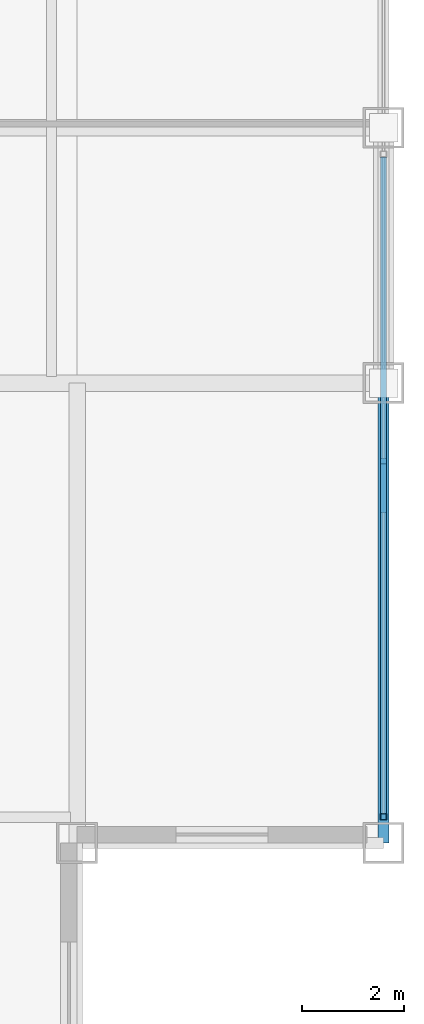
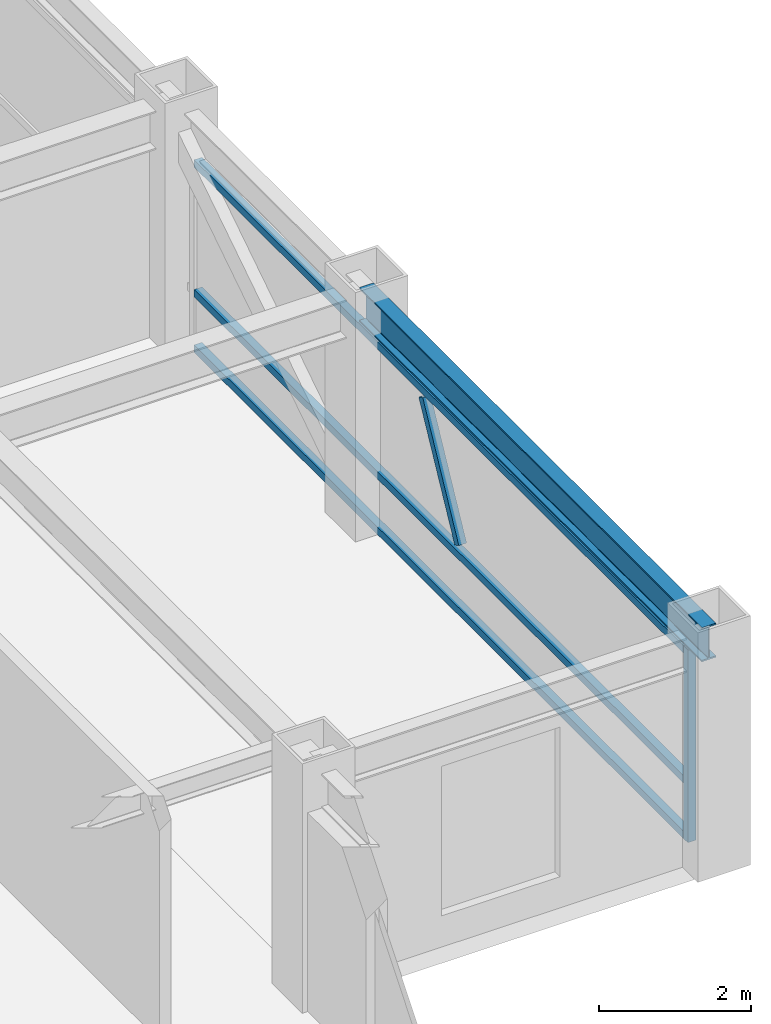
# One storey, part 12 of 29: 5 members, 1 beam, 1 element without a shape of its own.
"""IFC4 building model written with IfcOpenShell, lengths in metres."""

from ifc_helpers import new_model, si_unit, direction, frame, origin, origin_2d, place, context, subcontext, project, spatial, hollow_rectangle, i_section, extrude, source, transform, mapped, material, material_profile, profile_set, type_object, element, aggregate, save


model = new_model("IFC4")

# Units and contexts
model_context = context("Model", 3, precision=1e-05, world=origin(), true_north=direction((0.0, 1.0)))
body_context = subcontext(model_context, "Body", "Model", "MODEL_VIEW")
ifc_project = project(units=[si_unit("LENGTHUNIT", "METRE"), si_unit("AREAUNIT", "SQUARE_METRE"), si_unit("VOLUMEUNIT", "CUBIC_METRE"), si_unit("PLANEANGLEUNIT", "RADIAN"), si_unit("MASSUNIT", "GRAM", prefix="KILO")], contexts=[model_context])

# Site, building, storey
site_placement = place(None, origin())
site = spatial("IfcSite", under=ifc_project, at=site_placement, CompositionType="ELEMENT")
building_placement = place(site_placement, origin())
building = spatial("IfcBuilding", under=site, at=building_placement, Name="Khorayat Bourse Tower", CompositionType="ELEMENT")
storey_placement = place(building_placement, frame((0.0, 0.0, 354.300048828125)))
storey = spatial("IfcBuildingStorey", under=building, at=storey_placement, Name="L84", CompositionType="ELEMENT", Elevation=354.300048828125)

# Beam
ifc_material_1 = material(Name="Steel ASTM A992 Grade 50", Category="steel")
ifc_material_profile_1 = material_profile(ifc_material_1, i_section(OverallWidth=0.214111328125, OverallDepth=0.549072265625, WebThickness=0.0146484375, FlangeThickness=0.023681640625, FilletRadius=0.013916015625, at=origin_2d()), Name="W530X138")
ifc_profile_set_1 = profile_set([ifc_material_profile_1], Name="Steel ASTM A992 Grade 50")
beam_type = type_object("IfcBeamType", Name="BM-SPAN-530", PredefinedType="SPANDREL", material=ifc_profile_set_1)
shared_shape_1 = source(origin(), body_context, "Body", "SweptSolid", [
    extrude(i_section(OverallWidth=0.214111328125, OverallDepth=0.549072265625, WebThickness=0.0146484375, FlangeThickness=0.023681640625, FilletRadius=0.013916015625, at=origin_2d()), origin(), (0.0, 0.0, 1.0), 9.0),
])
beam_placement = place(storey_placement, frame((26.0, -20.0, 3.46533203125), z_axis=(0.0, 1.0, 0.0), x_axis=(-1.0, 0.0, 0.0)))
element("IfcBeam", 1, at=beam_placement, inside=storey, type_object=beam_type, Name="L84 BM-SPAN-530 BM-L84-SPN-032", PredefinedType="SPANDREL", context=body_context, shape_type="MappedRepresentation", body=[
    mapped(shared_shape_1, transform((0.0, 0.0, 0.0), scale=1.0)),
])

# Curtain wall, members
ifc_material_2 = material(Name="Aluminium EN AW-6063 T6", Category="aluminium")
curtain_wall_type = type_object("IfcCurtainWallType", Name="CW-SYS-06", PredefinedType="NOTDEFINED", material=ifc_material_2)
curtain_wall_placement = place(storey_placement, origin())
curtain_wall = element("IfcCurtainWall", 2, at=curtain_wall_placement, inside=storey, type_object=curtain_wall_type, Name="L84 Curtain Wall CW-L84-E1", PredefinedType="NOTDEFINED")
ifc_material_profile_2 = material_profile(ifc_material_2, hollow_rectangle(XDim=0.1201171875, YDim=0.1201171875, WallThickness=0.0048828125, at=origin_2d()), Name="ALU 120x120x5")
ifc_profile_set_2 = profile_set([ifc_material_profile_2], Name="Aluminium EN AW-6063 T6")
member_type_1 = type_object("IfcMemberType", Name="CWM-VERT-120", PredefinedType="MULLION", material=ifc_profile_set_2)
shared_shape_2 = source(origin(), body_context, "Body", "SweptSolid", [
    extrude(hollow_rectangle(XDim=0.1201171875, YDim=0.1201171875, WallThickness=0.0048828125, at=origin_2d()), origin(), (0.0, 0.0, 1.0), 3.08984375),
])
member_1_placement = place(storey_placement, frame((26.0, -19.489990234375, 0.0), z_axis=(0.0, 0.0, 1.0), x_axis=(-1.0, 0.0, 0.0)))
member_1 = element("IfcMember", 3, at=member_1_placement, type_object=member_type_1, Name="CW-L84-E1 Vertical Mullion 1", PredefinedType="MULLION", context=body_context, shape_type="MappedRepresentation", body=[
    mapped(shared_shape_2, transform((0.0, 0.0, 0.0), scale=1.0)),
])
ifc_material_profile_3 = material_profile(ifc_material_2, hollow_rectangle(XDim=0.1201171875, YDim=0.1201171875, WallThickness=0.0048828125, at=origin_2d()), Name="ALU 120x120x5")
ifc_profile_set_3 = profile_set([ifc_material_profile_3], Name="Aluminium EN AW-6063 T6")
member_type_2 = type_object("IfcMemberType", Name="CWM-DIAG-120", PredefinedType="MULLION", material=ifc_profile_set_3)
shared_shape_3 = source(origin(), body_context, "Body", "SweptSolid", [
    extrude(hollow_rectangle(XDim=0.1201171875, YDim=0.1201171875, WallThickness=0.0048828125, at=origin_2d()), origin(), (0.0, 0.0, 1.0), 2.0341796875),
])
member_2_placement = place(storey_placement, frame((26.0, -13.47705078125, 1.08984375), z_axis=(0.0, 0.465790950955, 0.884894790361), x_axis=(-1.0, 0.0, 0.0)))
member_2 = element("IfcMember", 4, at=member_2_placement, type_object=member_type_2, Name="CW-L84-E1 Faceted Diagonal Mullion 1", PredefinedType="MULLION", context=body_context, shape_type="MappedRepresentation", body=[
    mapped(shared_shape_3, transform((0.0, 0.0, 0.0), scale=1.0)),
])
ifc_material_profile_4 = material_profile(ifc_material_2, hollow_rectangle(XDim=0.1201171875, YDim=0.1201171875, WallThickness=0.0048828125, at=origin_2d()), Name="ALU 120x120x5")
ifc_profile_set_4 = profile_set([ifc_material_profile_4], Name="Aluminium EN AW-6063 T6")
member_type_3 = type_object("IfcMemberType", Name="CWT-HORZ-120", PredefinedType="USERDEFINED", material=ifc_profile_set_4)
shared_shape_4 = source(origin(), body_context, "Body", "SweptSolid", [
    extrude(hollow_rectangle(XDim=0.1201171875, YDim=0.1201171875, WallThickness=0.0048828125, at=origin_2d()), origin(), (0.0, 0.0, 1.0), 12.853271484375),
])
member_3_placement = place(storey_placement, frame((26.0, -19.429931640625, 0.06005859375), z_axis=(0.0, 1.0, 0.0), x_axis=(-1.0, 0.0, 0.0)))
member_3 = element("IfcMember", 5, at=member_3_placement, type_object=member_type_3, Name="CW-L84-E1 Horizontal Transom 1-1", ObjectType="TRANSOM", PredefinedType="USERDEFINED", context=body_context, shape_type="MappedRepresentation", body=[
    mapped(shared_shape_4, transform((0.0, 0.0, 0.0), scale=1.0)),
])
member_4_placement = place(storey_placement, frame((26.0, -19.429931640625, 0.949951171875), z_axis=(0.0, 1.0, 0.0), x_axis=(-1.0, 0.0, 0.0)))
member_4 = element("IfcMember", 6, at=member_4_placement, type_object=member_type_3, Name="CW-L84-E1 Horizontal Transom 1-2", ObjectType="TRANSOM", PredefinedType="USERDEFINED", context=body_context, shape_type="MappedRepresentation", body=[
    mapped(shared_shape_4, transform((0.0, 0.0, 0.0), scale=1.0)),
])
member_5_placement = place(storey_placement, frame((26.0, -19.429931640625, 3.030029296875), z_axis=(0.0, 1.0, 0.0), x_axis=(-1.0, 0.0, 0.0)))
member_5 = element("IfcMember", 7, at=member_5_placement, type_object=member_type_3, Name="CW-L84-E1 Horizontal Transom 1-3", ObjectType="TRANSOM", PredefinedType="USERDEFINED", context=body_context, shape_type="MappedRepresentation", body=[
    mapped(shared_shape_4, transform((0.0, 0.0, 0.0), scale=1.0)),
])
aggregate(curtain_wall, [member_1, member_3, member_4, member_5, member_2])

save(model, "model.ifc")
